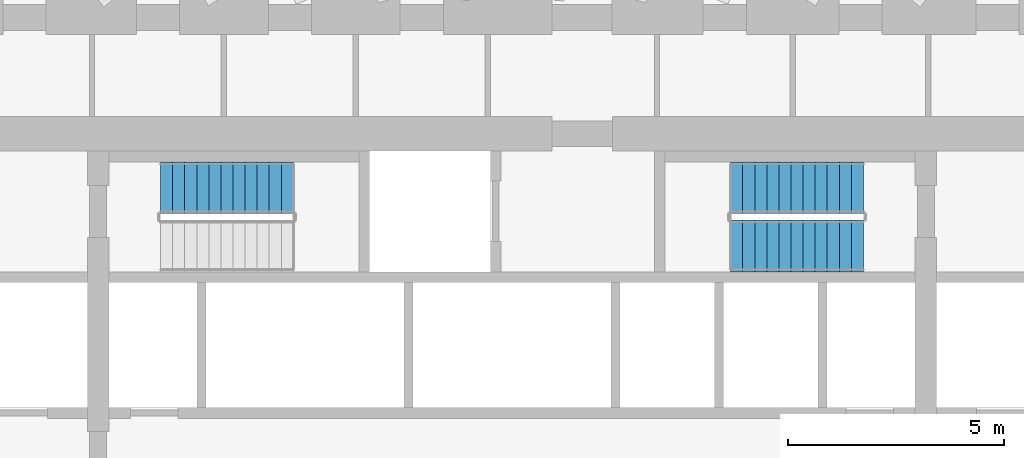
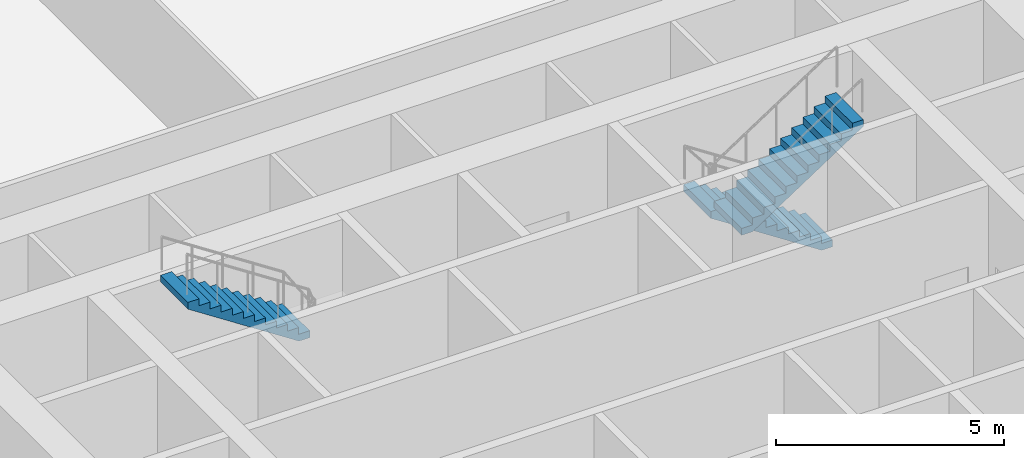
# One storey, part 9 of 13: 3 stair flights, 2 elements without a shape of their own.
"""IFC4 building model written with IfcOpenShell, lengths in metres."""

from ifc_helpers import new_model, si_unit, direction, frame, origin, place, context, subcontext, project, spatial, polyline, outline, extrude, material, layer, layer_set, type_object, element, aggregate, save


model = new_model("IFC4")

# Units and contexts
model_context = context("Model", 3, precision=1e-05, world=origin(), true_north=direction((0.0, 1.0)))
body_context = subcontext(model_context, "Body", "Model", "MODEL_VIEW")
ifc_project = project(units=[si_unit("LENGTHUNIT", "METRE"), si_unit("AREAUNIT", "SQUARE_METRE"), si_unit("VOLUMEUNIT", "CUBIC_METRE"), si_unit("PLANEANGLEUNIT", "RADIAN"), si_unit("MASSUNIT", "GRAM", prefix="KILO")], contexts=[model_context])

# Site, building, storey
site_placement = place(None, origin())
site = spatial("IfcSite", under=ifc_project, at=site_placement, CompositionType="ELEMENT")
building_placement = place(site_placement, origin())
building = spatial("IfcBuilding", under=site, at=building_placement, Name="Frailejon Research Tower", CompositionType="ELEMENT")
storey_placement = place(building_placement, frame((0.0, 0.0, 102.800048828125)))
storey = spatial("IfcBuildingStorey", under=building, at=storey_placement, Name="L22", CompositionType="ELEMENT", Elevation=102.800048828125)

# Stair, stair flight
ifc_material_1 = material(Name="Concrete C50/60", Category="concrete")
stair_type = type_object("IfcStairType", Name="Exit stair 24 risers", PredefinedType="HALF_TURN_STAIR", material=ifc_material_1)
stair_1_placement = place(storey_placement, origin())
stair_1 = element("IfcStair", 1, at=stair_1_placement, inside=storey, type_object=stair_type, Name="L22 Exit stair ST1", PredefinedType="HALF_TURN_STAIR")
ifc_material_2 = material(Name="Concrete C50/60", Category="concrete")
ifc_layer = layer(ifc_material_2, 0.14990234375)
ifc_layer_set = layer_set([ifc_layer], Name="Stair flight 12 risers")
stair_flight_type = type_object("IfcStairFlightType", Name="Stair flight 12 risers", PredefinedType="STRAIGHT", material=ifc_layer_set)
stair_flight_1_placement = place(storey_placement, frame((-5.070068359375, 6.85009765625, 2.199951171875), z_axis=(0.0, 0.0, 1.0), x_axis=(-1.0, 0.0, 0.0)))
stair_flight_1 = element("IfcStairFlight", 2, at=stair_flight_1_placement, type_object=stair_flight_type, Name="ST1 flight 2", NumberOfRisers=12, NumberOfTreads=11, PredefinedType="STRAIGHT", RiserHeight=0.183333333, TreadLength=0.28, context=body_context, shape_type="SweptSolid", body=[
    extrude(outline(polyline([(0.0, 0.0), (0.0, 0.183349609375), (0.280029296875, 0.183349609375), (0.280029296875, 0.36669921875), (0.56005859375, 0.36669921875), (0.56005859375, 0.550048828125), (0.840087890625, 0.550048828125), (0.840087890625, 0.7333984375), (1.1201171875, 0.7333984375), (1.1201171875, 0.916748046875), (1.39990234375, 0.916748046875), (1.39990234375, 1.10009765625), (1.679931640625, 1.10009765625), (1.679931640625, 1.283447265625), (1.9599609375, 1.283447265625), (1.9599609375, 1.466552734375), (2.239990234375, 1.466552734375), (2.239990234375, 1.64990234375), (2.52001953125, 1.64990234375), (2.52001953125, 1.833251953125), (2.800048828125, 1.833251953125), (2.800048828125, 2.0166015625), (3.080078125, 2.0166015625), (3.080078125, 2.199951171875), (3.080078125, 1.83740234375), (0.273681640625, 0.0), (0.0, 0.0)])), frame((0.0, 0.60009765625, 0.0), z_axis=(0.0, -1.0, 0.0), x_axis=(1.0, 0.0, 0.0)), (0.0, 0.0, 1.0), 1.199951171875),
])
aggregate(stair_1, [stair_flight_1])

# Stair, stair flights
stair_2_placement = place(storey_placement, origin())
stair_2 = element("IfcStair", 3, at=stair_2_placement, inside=storey, type_object=stair_type, Name="L22 Exit stair ST3", PredefinedType="HALF_TURN_STAIR")
stair_flight_2_placement = place(storey_placement, frame((8.14990234375, 6.85009765625, 0.0), z_axis=(0.0, 0.0, 1.0), x_axis=(-1.0, 0.0, 0.0)))
stair_flight_2 = element("IfcStairFlight", 4, at=stair_flight_2_placement, type_object=stair_flight_type, Name="ST3 flight 1", NumberOfRisers=12, NumberOfTreads=11, PredefinedType="STRAIGHT", RiserHeight=0.183333333, TreadLength=0.28, context=body_context, shape_type="SweptSolid", body=[
    extrude(outline(polyline([(0.0, 0.0), (0.0, 0.183349609375), (0.280029296875, 0.183349609375), (0.280029296875, 0.36669921875), (0.56005859375, 0.36669921875), (0.56005859375, 0.550048828125), (0.840087890625, 0.550048828125), (0.840087890625, 0.7333984375), (1.1201171875, 0.7333984375), (1.1201171875, 0.916748046875), (1.39990234375, 0.916748046875), (1.39990234375, 1.10009765625), (1.679931640625, 1.10009765625), (1.679931640625, 1.283447265625), (1.9599609375, 1.283447265625), (1.9599609375, 1.466552734375), (2.239990234375, 1.466552734375), (2.239990234375, 1.64990234375), (2.52001953125, 1.64990234375), (2.52001953125, 1.833251953125), (2.800048828125, 1.833251953125), (2.800048828125, 2.0166015625), (3.080078125, 2.0166015625), (3.080078125, 2.199951171875), (3.080078125, 1.83740234375), (0.273681640625, 0.0), (0.0, 0.0)])), frame((0.0, 0.60009765625, 0.0), z_axis=(0.0, -1.0, 0.0), x_axis=(1.0, 0.0, 0.0)), (0.0, 0.0, 1.0), 1.199951171875),
])
stair_flight_3_placement = place(storey_placement, frame((5.070068359375, 5.5, 2.199951171875), z_axis=(0.0, 0.0, 1.0), x_axis=(1.0, 0.0, 0.0)))
stair_flight_3 = element("IfcStairFlight", 5, at=stair_flight_3_placement, type_object=stair_flight_type, Name="ST3 flight 2", NumberOfRisers=12, NumberOfTreads=11, PredefinedType="STRAIGHT", RiserHeight=0.183333333, TreadLength=0.28, context=body_context, shape_type="SweptSolid", body=[
    extrude(outline(polyline([(0.0, 0.0), (0.0, 0.183349609375), (0.280029296875, 0.183349609375), (0.280029296875, 0.36669921875), (0.56005859375, 0.36669921875), (0.56005859375, 0.550048828125), (0.840087890625, 0.550048828125), (0.840087890625, 0.7333984375), (1.1201171875, 0.7333984375), (1.1201171875, 0.916748046875), (1.39990234375, 0.916748046875), (1.39990234375, 1.10009765625), (1.679931640625, 1.10009765625), (1.679931640625, 1.283447265625), (1.9599609375, 1.283447265625), (1.9599609375, 1.466552734375), (2.239990234375, 1.466552734375), (2.239990234375, 1.64990234375), (2.52001953125, 1.64990234375), (2.52001953125, 1.833251953125), (2.800048828125, 1.833251953125), (2.800048828125, 2.0166015625), (3.080078125, 2.0166015625), (3.080078125, 2.199951171875), (3.080078125, 1.83740234375), (0.273681640625, 0.0), (0.0, 0.0)])), frame((0.0, 0.60009765625, 0.0), z_axis=(0.0, -1.0, 0.0), x_axis=(1.0, 0.0, 0.0)), (0.0, 0.0, 1.0), 1.199951171875),
])
aggregate(stair_2, [stair_flight_2, stair_flight_3])

save(model, "model.ifc")
